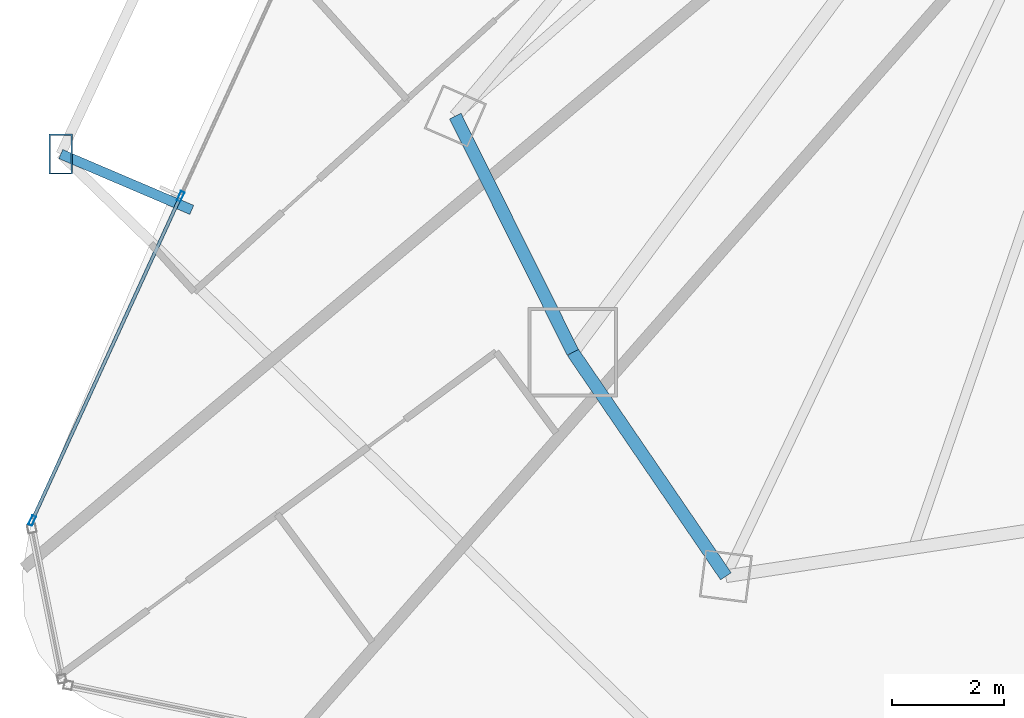
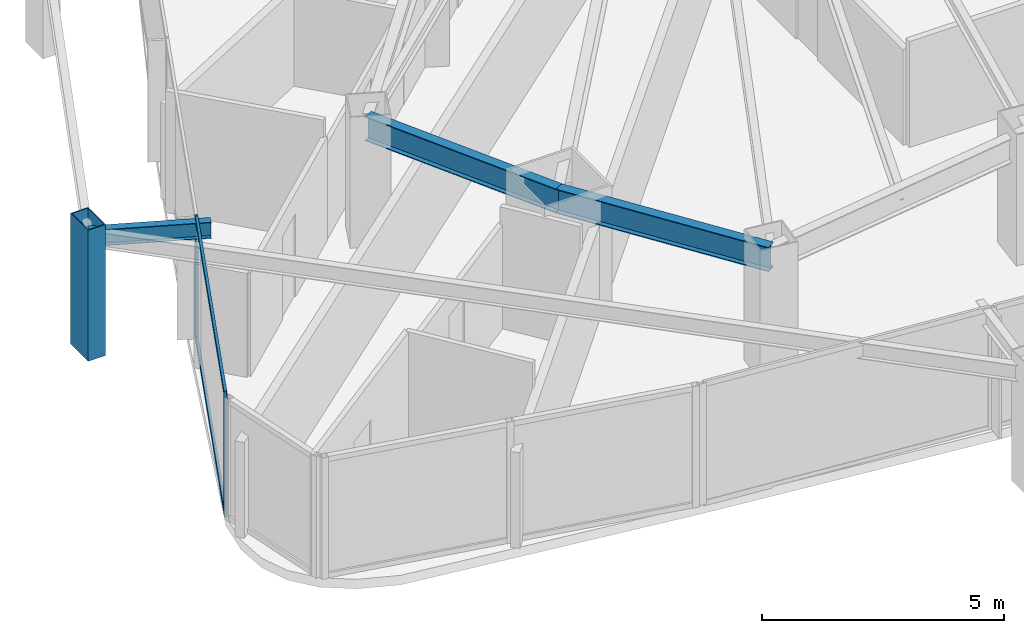
# One storey, part 5 of 38: 5 members, 3 beams, 1 element without a shape of its own.
"""IFC4 building model written with IfcOpenShell, lengths in metres."""

from ifc_helpers import new_model, si_unit, direction, frame, origin, origin_2d, place, context, subcontext, project, spatial, hollow_rectangle, i_section, extrude, material, layer, layer_set, material_profile, profile_set, type_object, element, aggregate, save


model = new_model("IFC4")

# Units and contexts
model_context = context("Model", 3, precision=1e-05, world=origin(), true_north=direction((0.0, 1.0)))
body_context = subcontext(model_context, "Body", "Model", "MODEL_VIEW")
ifc_project = project(units=[si_unit("LENGTHUNIT", "METRE"), si_unit("AREAUNIT", "SQUARE_METRE"), si_unit("VOLUMEUNIT", "CUBIC_METRE"), si_unit("PLANEANGLEUNIT", "RADIAN"), si_unit("MASSUNIT", "GRAM", prefix="KILO")], contexts=[model_context])

# Site, building, storey
site_placement = place(None, origin())
site = spatial("IfcSite", under=ifc_project, at=site_placement, CompositionType="ELEMENT")
building_placement = place(site_placement, origin())
building = spatial("IfcBuilding", under=site, at=building_placement, Name="Orvanel Arch Residences", CompositionType="ELEMENT")
storey_placement = place(building_placement, frame((0.0, 0.0, 43.39990234375)))
storey = spatial("IfcBuildingStorey", under=building, at=storey_placement, Name="L11", CompositionType="ELEMENT", Elevation=43.39990234375)

# Member
ifc_material_1 = material(Name="Structural steel AS/NZS 3678 Grade 350", Category="steel")
ifc_material_profile_1 = material_profile(ifc_material_1, hollow_rectangle(XDim=0.419921875, YDim=0.719970703125, WallThickness=0.02490234375, at=origin_2d()), Name="RHS720x420x25")
ifc_profile_set_1 = profile_set([ifc_material_profile_1], Name="Structural steel AS/NZS 3678 Grade 350")
member_type_1 = type_object("IfcMemberType", Name="CH-720RHS-EXT", PredefinedType="CHORD", material=ifc_profile_set_1)
member_1_placement = place(storey_placement, frame((5.029052734375, 13.90087890625, 0.0), z_axis=(0.0, 0.0, 1.0), x_axis=(1.0, 0.0, 0.0)))
element("IfcMember", 1, at=member_1_placement, inside=storey, type_object=member_type_1, Name="L11 Outer Perimeter Frame Post 04", PredefinedType="CHORD", context=body_context, shape_type="SweptSolid", body=[
    extrude(hollow_rectangle(XDim=0.419921875, YDim=0.719970703125, WallThickness=0.02490234375, at=origin_2d()), origin(), (0.0, 0.0, 1.0), 3.300048828125),
])

# Curtain wall, members
ifc_material_2 = material(Name="Bronze-anodised aluminium AA6063-T6", Category="aluminium")
ifc_layer = layer(ifc_material_2, 0.179931640625)
ifc_layer_set = layer_set([ifc_layer], Name="Bronze-anodised aluminium AA6063-T6")
curtain_wall_type = type_object("IfcCurtainWallType", Name="CW2-LOW-SYS", PredefinedType="NOTDEFINED", material=ifc_layer_set)
curtain_wall_placement = place(storey_placement, origin())
curtain_wall = element("IfcCurtainWall", 2, at=curtain_wall_placement, inside=storey, type_object=curtain_wall_type, Name="L11 CW2-LOW-SYS Unitised Curtain Wall", PredefinedType="NOTDEFINED")
ifc_material_profile_2 = material_profile(ifc_material_2, hollow_rectangle(XDim=0.070068359375, YDim=0.179931640625, WallThickness=0.00439453125, at=origin_2d()), Name="ALU180x70x4.5")
ifc_profile_set_2 = profile_set([ifc_material_profile_2], Name="Bronze-anodised aluminium AA6063-T6")
member_type_2 = type_object("IfcMemberType", Name="MUL-180x70", PredefinedType="MULLION", material=ifc_profile_set_2)
member_2_placement = place(storey_placement, frame((7.17529296875, 13.1435546875, 0.0), z_axis=(0.0, 0.0, 1.0), x_axis=(0.909193369398, -0.416374131092, 0.0)))
member_2 = element("IfcMember", 3, at=member_2_placement, type_object=member_type_2, Name="CW-S2 mullion 3", PredefinedType="MULLION", context=body_context, shape_type="SweptSolid", body=[
    extrude(hollow_rectangle(XDim=0.070068359375, YDim=0.179931640625, WallThickness=0.00439453125, at=origin_2d()), origin(), (0.0, 0.0, 1.0), 3.06005859375),
])
member_3_placement = place(storey_placement, frame((4.515625, 7.3359375, 0.0), z_axis=(0.0, 0.0, 1.0), x_axis=(0.909193369398, -0.416374131092, 0.0)))
member_3 = element("IfcMember", 4, at=member_3_placement, type_object=member_type_2, Name="CW-S2 mullion 4", PredefinedType="MULLION", context=body_context, shape_type="SweptSolid", body=[
    extrude(hollow_rectangle(XDim=0.070068359375, YDim=0.179931640625, WallThickness=0.00439453125, at=origin_2d()), origin(), (0.0, 0.0, 1.0), 3.06005859375),
])

# Beams
ifc_material_3 = material(Name="Structural steel AS/NZS 3679.1 Grade 300 (300 MPa)", Category="steel")
ifc_material_profile_3 = material_profile(ifc_material_3, i_section(OverallWidth=0.177978515625, OverallDepth=0.406005859375, WebThickness=0.0078125, FlangeThickness=0.0126953125, at=origin_2d()), Name="410UB59.7")
ifc_profile_set_3 = profile_set([ifc_material_profile_3], Name="Structural steel AS/NZS 3679.1 Grade 300 (300 MPa)")
beam_type_1 = type_object("IfcBeamType", Name="OB-410UB-EXT", PredefinedType="SPANDREL", material=ifc_profile_set_3)
beam_1_placement = place(storey_placement, frame((7.375, 12.90087890625, 2.857177734375), z_axis=(-0.919910810227, 0.39212765935, 0.0), x_axis=(-0.39212765935, -0.919910810227, 0.0)))
element("IfcBeam", 5, at=beam_1_placement, inside=storey, type_object=beam_type_1, Name="L11 Outer Frame Radial Tie Beam 04", PredefinedType="SPANDREL", context=body_context, shape_type="SweptSolid", body=[
    extrude(i_section(OverallWidth=0.177978515625, OverallDepth=0.406005859375, WebThickness=0.0078125, FlangeThickness=0.0126953125, at=origin_2d()), origin(), (0.0, 0.0, 1.0), 2.55029296875),
])
ifc_material_profile_4 = material_profile(ifc_material_3, i_section(OverallWidth=0.22900390625, OverallDepth=0.612060546875, WebThickness=0.011962890625, FlangeThickness=0.01953125, at=origin_2d()), Name="610UB125")
ifc_profile_set_4 = profile_set([ifc_material_profile_4], Name="Structural steel AS/NZS 3679.1 Grade 300 (300 MPa)")
beam_type_2 = type_object("IfcBeamType", Name="SP-610UB", PredefinedType="SPANDREL", material=ifc_profile_set_4)
beam_2_placement = place(storey_placement, frame((12.094970703125, 14.580078125, 2.754150390625), z_axis=(0.44543469453, -0.895314432425, 0.0), x_axis=(0.895314432425, 0.44543469453, 0.0)))
element("IfcBeam", 6, at=beam_2_placement, inside=storey, type_object=beam_type_2, Name="L11 Perimeter Spandrel Beam 02", PredefinedType="SPANDREL", context=body_context, shape_type="SweptSolid", body=[
    extrude(i_section(OverallWidth=0.22900390625, OverallDepth=0.612060546875, WebThickness=0.011962890625, FlangeThickness=0.01953125, at=origin_2d()), origin(), (0.0, 0.0, 1.0), 4.723388671875),
])
beam_3_placement = place(storey_placement, frame((14.198974609375, 10.35107421875, 2.754150390625), z_axis=(0.564251579852, -0.825602903722, 0.0), x_axis=(0.825602903722, 0.564251579852, 0.0)))
element("IfcBeam", 7, at=beam_3_placement, inside=storey, type_object=beam_type_2, Name="L11 Perimeter Spandrel Beam 03", PredefinedType="SPANDREL", context=body_context, shape_type="SweptSolid", body=[
    extrude(i_section(OverallWidth=0.22900390625, OverallDepth=0.612060546875, WebThickness=0.011962890625, FlangeThickness=0.01953125, at=origin_2d()), origin(), (0.0, 0.0, 1.0), 4.859375),
])

# Member
ifc_material_profile_5 = material_profile(ifc_material_2, hollow_rectangle(XDim=0.06005859375, YDim=0.135009765625, WallThickness=0.00390625, at=origin_2d()), Name="ALU135x60x4")
ifc_profile_set_5 = profile_set([ifc_material_profile_5], Name="Bronze-anodised aluminium AA6063-T6")
member_type_3 = type_object("IfcMemberType", Name="TRN-135x60", PredefinedType="USERDEFINED", material=ifc_profile_set_5)
member_4_placement = place(storey_placement, frame((7.16064453125, 13.11181640625, 0.030029296875), z_axis=(-0.416377925515, -0.909191631695, 0.0), x_axis=(0.909191631695, -0.416377925515, 0.0)))
member_4 = element("IfcMember", 8, at=member_4_placement, type_object=member_type_3, Name="CW-S2 transom 3.1", ObjectType="TRANSOM", PredefinedType="USERDEFINED", context=body_context, shape_type="SweptSolid", body=[
    extrude(hollow_rectangle(XDim=0.06005859375, YDim=0.135009765625, WallThickness=0.00390625, at=origin_2d()), origin(), (0.0, 0.0, 1.0), 6.31787109375),
])

member_5_placement = place(storey_placement, frame((7.16064453125, 13.11181640625, 3.030029296875), z_axis=(-0.416377925515, -0.909191631695, 0.0), x_axis=(0.909191631695, -0.416377925515, 0.0)))
member_5 = element("IfcMember", 9, at=member_5_placement, type_object=member_type_3, Name="CW-S2 transom 3.2", ObjectType="TRANSOM", PredefinedType="USERDEFINED", context=body_context, shape_type="SweptSolid", body=[
    extrude(hollow_rectangle(XDim=0.06005859375, YDim=0.135009765625, WallThickness=0.00390625, at=origin_2d()), origin(), (0.0, 0.0, 1.0), 6.31787109375),
])

aggregate(curtain_wall, [member_2, member_3, member_4, member_5])

save(model, "model.ifc")
